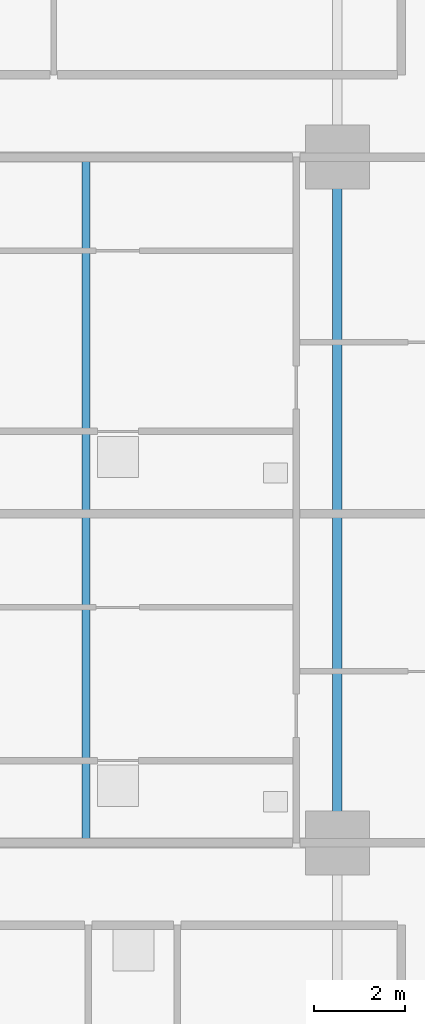
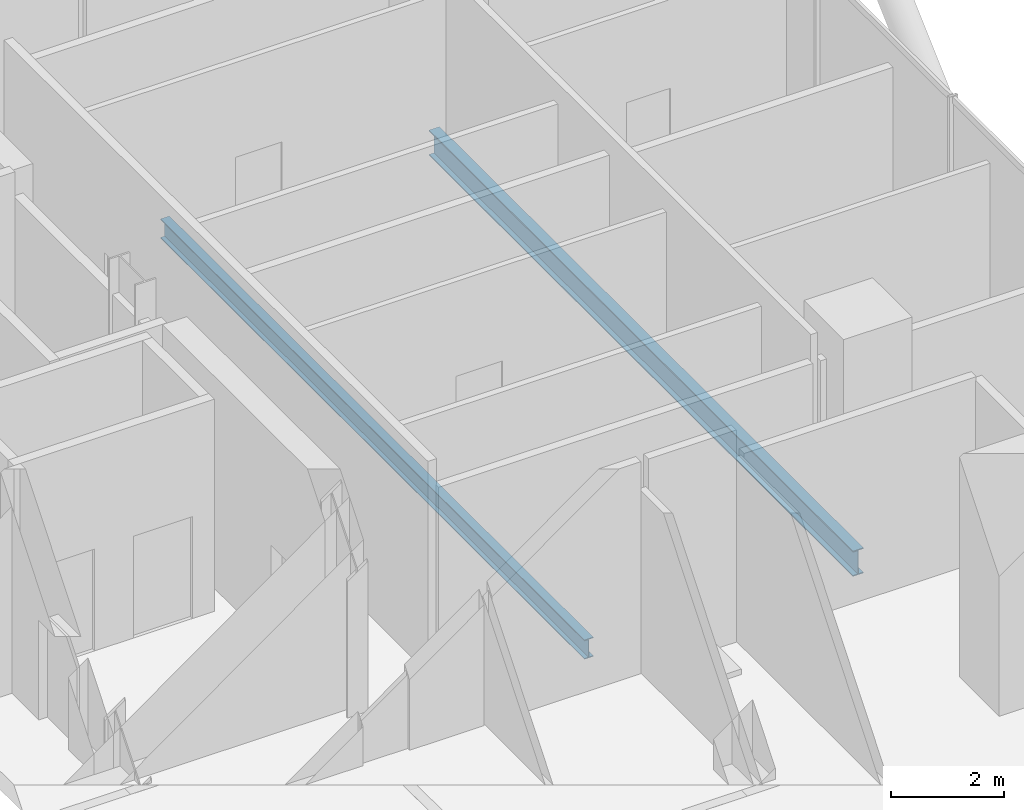
# One storey, part 11 of 33: 2 beams.
"""IFC4 building model written with IfcOpenShell, lengths in metres."""

from ifc_helpers import new_model, si_unit, direction, frame, origin, origin_2d, place, context, subcontext, project, spatial, i_section, extrude, material, material_profile, profile_set, type_object, element, save


model = new_model("IFC4")

# Units and contexts
model_context = context("Model", 3, precision=1e-05, world=origin(), true_north=direction((0.0, 1.0)))
body_context = subcontext(model_context, "Body", "Model", "MODEL_VIEW")
ifc_project = project(units=[si_unit("LENGTHUNIT", "METRE"), si_unit("AREAUNIT", "SQUARE_METRE"), si_unit("VOLUMEUNIT", "CUBIC_METRE"), si_unit("PLANEANGLEUNIT", "RADIAN"), si_unit("MASSUNIT", "GRAM", prefix="KILO")], contexts=[model_context])

# Site, building, storey
site_placement = place(None, origin())
site = spatial("IfcSite", under=ifc_project, at=site_placement, CompositionType="ELEMENT")
building_placement = place(site_placement, origin())
building = spatial("IfcBuilding", under=site, at=building_placement, Name="Barlavira Tower and Art Museum", CompositionType="ELEMENT")
storey_placement = place(building_placement, frame((0.0, 0.0, 27.60009765625)))
storey = spatial("IfcBuildingStorey", under=building, at=storey_placement, Name="L05", CompositionType="ELEMENT", Elevation=27.60009765625)

# Beams
ifc_material = material(Name="Steel S355", Category="steel")
ifc_material_profile_1 = material_profile(ifc_material, i_section(OverallWidth=0.180908203125, OverallDepth=0.4169921875, WebThickness=0.010986328125, FlangeThickness=0.018310546875, at=origin_2d()), Name="W410x85.0")
ifc_profile_set_1 = profile_set([ifc_material_profile_1], Name="Steel S355")
beam_type_1 = type_object("IfcBeamType", Name="Zone 1 Composite Floor Joist W410x85 Steel S355", PredefinedType="JOIST", material=ifc_profile_set_1)
beam_1_placement = place(storey_placement, frame((11.5, -7.5, -0.608642578125), z_axis=(0.0, 1.0, 0.0), x_axis=(-1.0, 0.0, 0.0)))
element("IfcBeam", 1, at=beam_1_placement, inside=storey, type_object=beam_type_1, Name="L05 Joist W2", PredefinedType="JOIST", context=body_context, shape_type="SweptSolid", body=[
    extrude(i_section(OverallWidth=0.180908203125, OverallDepth=0.4169921875, WebThickness=0.010986328125, FlangeThickness=0.018310546875, at=origin_2d()), origin(), (0.0, 0.0, 1.0), 15.0),
])
ifc_material_profile_2 = material_profile(ifc_material, i_section(OverallWidth=0.214111328125, OverallDepth=0.549072265625, WebThickness=0.0146484375, FlangeThickness=0.023681640625, at=origin_2d()), Name="W530x138.0")
ifc_profile_set_2 = profile_set([ifc_material_profile_2], Name="Steel S355")
beam_type_2 = type_object("IfcBeamType", Name="Zone 1 Primary Floor Girder W530x138 Steel S355", PredefinedType="BEAM", material=ifc_profile_set_2)
beam_2_placement = place(storey_placement, frame((17.0, -7.5, -0.674560546875), z_axis=(0.0, 1.0, 0.0), x_axis=(-1.0, 0.0, 0.0)))
element("IfcBeam", 2, at=beam_2_placement, inside=storey, type_object=beam_type_2, Name="L05 Girder M-E2", PredefinedType="BEAM", context=body_context, shape_type="SweptSolid", body=[
    extrude(i_section(OverallWidth=0.214111328125, OverallDepth=0.549072265625, WebThickness=0.0146484375, FlangeThickness=0.023681640625, at=origin_2d()), origin(), (0.0, 0.0, 1.0), 15.0),
])

save(model, "model.ifc")
